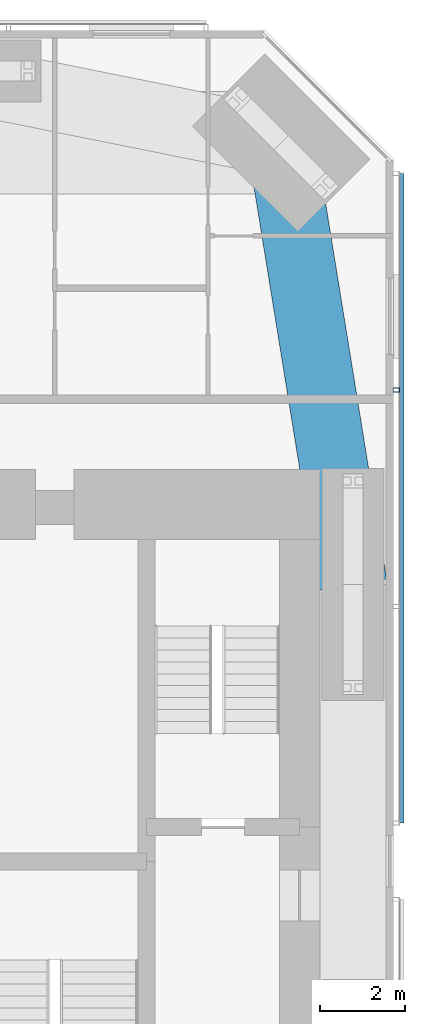
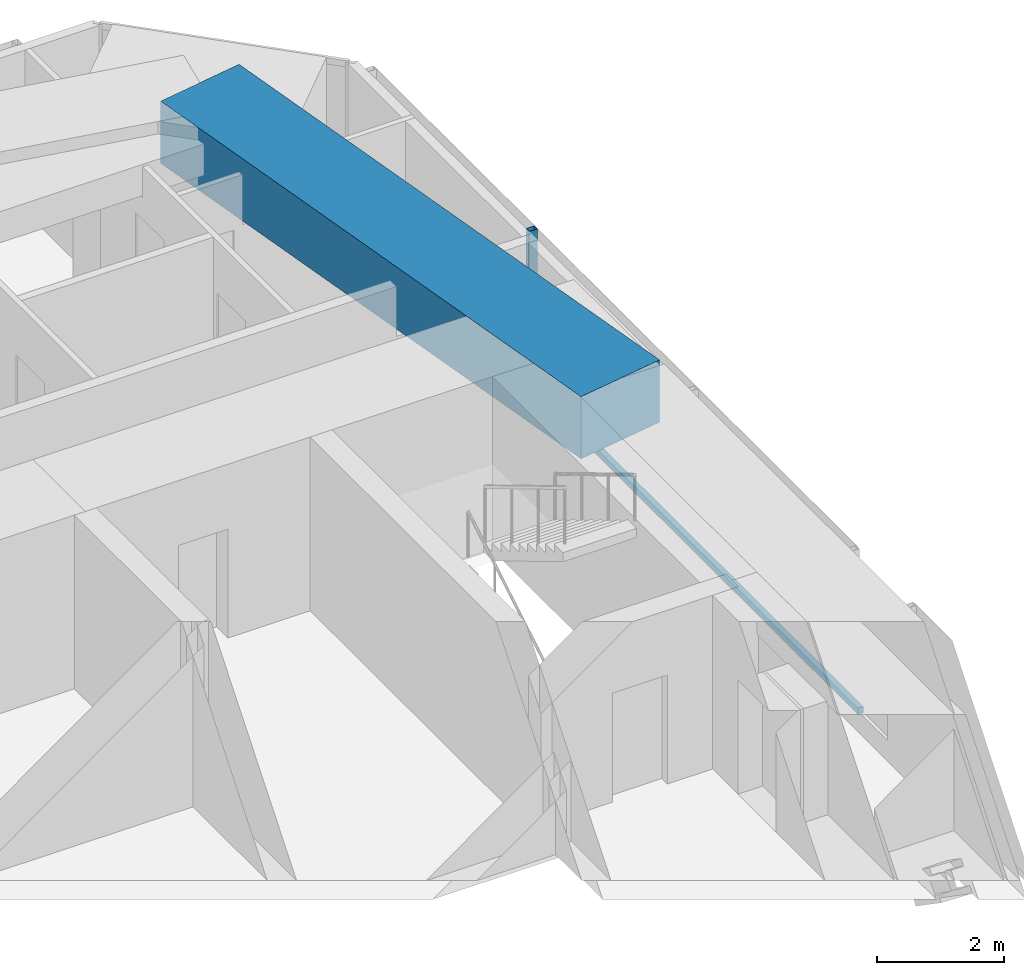
# One storey, part 10 of 23: 2 members, 1 beam, 1 element without a shape of its own.
"""IFC4 building model written with IfcOpenShell, lengths in metres."""

from ifc_helpers import new_model, si_unit, direction, frame, origin, origin_2d, place, context, subcontext, project, spatial, rectangle, hollow_rectangle, extrude, material, material_profile, profile_set, type_object, element, aggregate, save


model = new_model("IFC4")

# Units and contexts
model_context = context("Model", 3, precision=1e-05, world=origin(), true_north=direction((0.0, 1.0)))
body_context = subcontext(model_context, "Body", "Model", "MODEL_VIEW")
ifc_project = project(units=[si_unit("LENGTHUNIT", "METRE"), si_unit("AREAUNIT", "SQUARE_METRE"), si_unit("VOLUMEUNIT", "CUBIC_METRE"), si_unit("PLANEANGLEUNIT", "RADIAN"), si_unit("MASSUNIT", "GRAM", prefix="KILO")], contexts=[model_context])

# Site, building, storey
site_placement = place(None, origin())
site = spatial("IfcSite", under=ifc_project, at=site_placement, CompositionType="ELEMENT")
building_placement = place(site_placement, origin())
building = spatial("IfcBuilding", under=site, at=building_placement, Name="Jalousie Tower", CompositionType="ELEMENT")
storey_placement = place(building_placement, frame((0.0, 0.0, 41.10009765625)))
storey = spatial("IfcBuildingStorey", under=building, at=storey_placement, Name="L10", CompositionType="ELEMENT", Elevation=41.10009765625)

# Beam
ifc_material_1 = material(Name="Concrete f'c 40 MPa", Category="concrete")
ifc_material_profile_1 = material_profile(ifc_material_1, rectangle(XDim=1.60009765625, YDim=1.199951171875, at=origin_2d()), Name="RC 1600x1200")
ifc_profile_set_1 = profile_set([ifc_material_profile_1], Name="Concrete f'c 40 MPa")
beam_type = type_object("IfcBeamType", Name="RC BEAM 1600x1200", PredefinedType="BEAM", material=ifc_profile_set_1)
beam_placement = place(storey_placement, frame((45.050048828125, 25.0, 2.75), z_axis=(-0.160070546476, 0.987105577003, 0.0), x_axis=(-0.987105577003, -0.160070546476, 0.0)))
element("IfcBeam", 1, at=beam_placement, inside=storey, type_object=beam_type, Name="Edge band beam 07-08 under L11", PredefinedType="BEAM", context=body_context, shape_type="SweptSolid", body=[
    extrude(rectangle(XDim=1.60009765625, YDim=1.199951171875, at=origin_2d()), origin(), (0.0, 0.0, 1.0), 10.504150390625),
])

# Curtain wall, members
ifc_material_2 = material(Name="Perforated aluminium sheet", Category="aluminium")
curtain_wall_type = type_object("IfcCurtainWallType", Name="SOLAR SCREEN SS-1", PredefinedType="USERDEFINED", material=ifc_material_2)
curtain_wall_placement = place(storey_placement, origin())
curtain_wall = element("IfcCurtainWall", 2, at=curtain_wall_placement, inside=storey, type_object=curtain_wall_type, Name="Solar screen L10", ObjectType="SOLAR SCREEN SS-1", PredefinedType="USERDEFINED")
ifc_material_3 = material(Name="Steel ASTM A500 Grade C", Category="steel")
ifc_material_profile_2 = material_profile(ifc_material_3, hollow_rectangle(XDim=0.1015625, YDim=0.15234375, WallThickness=0.00634765625, at=origin_2d()), Name="HSS6X4X1/4")
ifc_profile_set_2 = profile_set([ifc_material_profile_2], Name="Steel ASTM A500 Grade C")
member_type_1 = type_object("IfcMemberType", Name="SOLAR SCREEN SS-1 MULLION", PredefinedType="MULLION", material=ifc_profile_set_2)
member_1_placement = place(storey_placement, frame((46.0712890625, 29.56591796875, -0.1201171875), z_axis=(0.0, 0.0, 1.0), x_axis=(0.0, 1.0, 0.0)))
member_1 = element("IfcMember", 3, at=member_1_placement, type_object=member_type_1, Name="SS1 post 3", PredefinedType="MULLION", context=body_context, shape_type="SweptSolid", body=[
    extrude(hollow_rectangle(XDim=0.1015625, YDim=0.15234375, WallThickness=0.00634765625, at=origin_2d()), origin(), (0.0, 0.0, 1.0), 3.22998046875),
])
ifc_material_4 = material(Name="Extruded aluminium screen rail", Category="aluminium")
ifc_material_profile_3 = material_profile(ifc_material_4, rectangle(XDim=0.1015625, YDim=0.1201171875, at=origin_2d()), Name="RAIL 102x120")
ifc_profile_set_3 = profile_set([ifc_material_profile_3], Name="Extruded aluminium screen rail")
member_type_2 = type_object("IfcMemberType", Name="SOLAR SCREEN SS-1 TRANSOM", PredefinedType="USERDEFINED", material=ifc_profile_set_3)
member_2_placement = place(storey_placement, frame((46.1982421875, 19.39990234375, -0.06005859375), z_axis=(0.0, 1.0, 0.0), x_axis=(-1.0, 0.0, 0.0)))
member_2 = element("IfcMember", 4, at=member_2_placement, type_object=member_type_2, Name="SS1 rail", ObjectType="TRANSOM", PredefinedType="USERDEFINED", context=body_context, shape_type="SweptSolid", body=[
    extrude(rectangle(XDim=0.1015625, YDim=0.1201171875, at=origin_2d()), origin(), (0.0, 0.0, 1.0), 15.248779296875),
])
aggregate(curtain_wall, [member_1, member_2])

save(model, "model.ifc")
